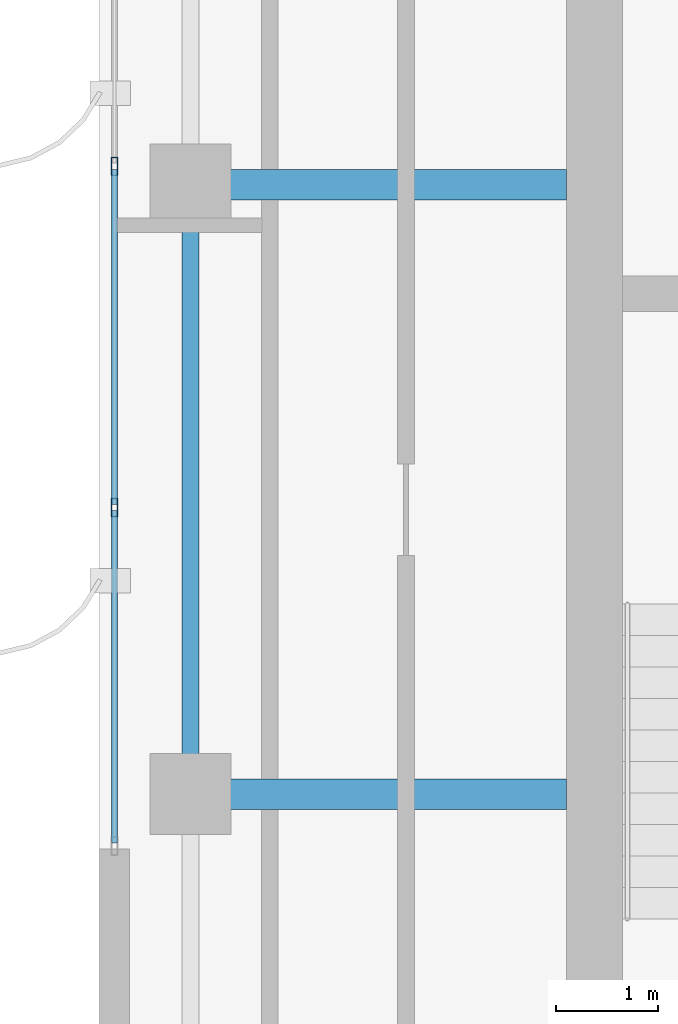
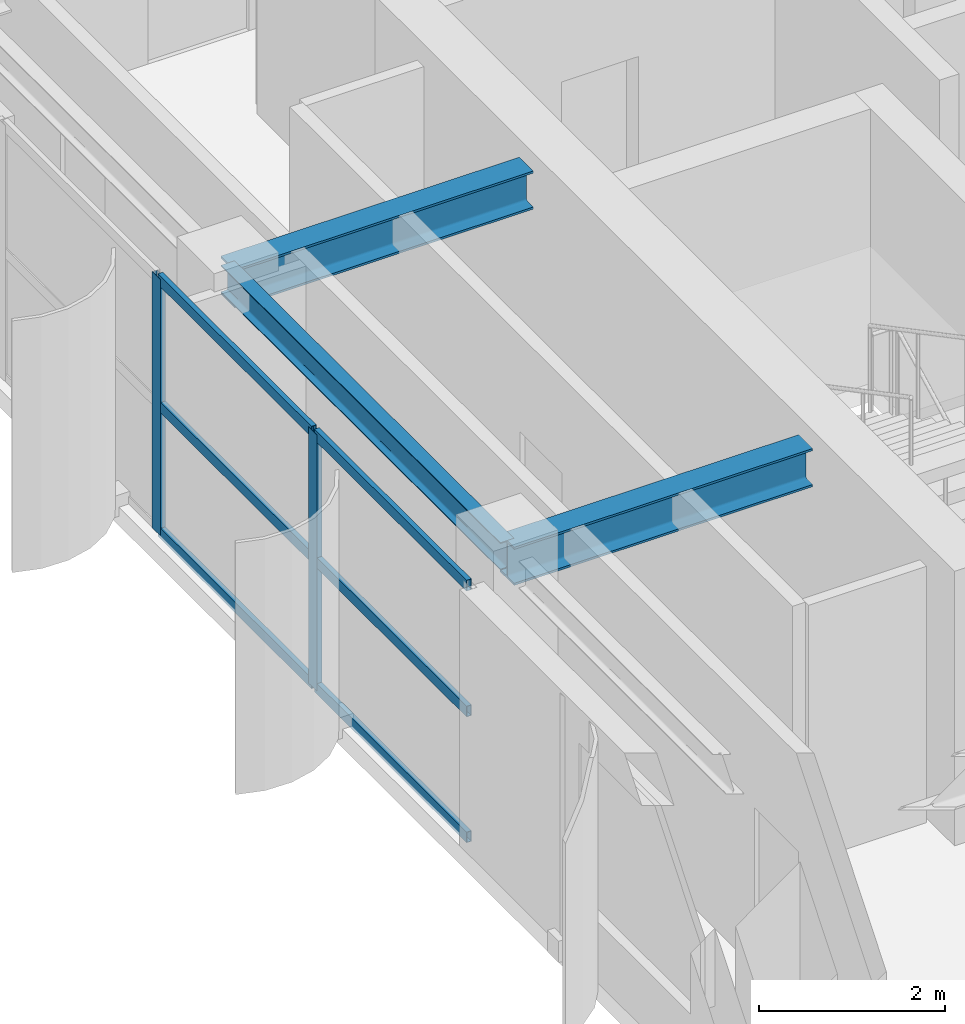
# One storey, part 6 of 22: 8 members, 3 beams, 1 element without a shape of its own.
"""IFC4 building model written with IfcOpenShell, lengths in metres."""

from ifc_helpers import new_model, si_unit, direction, frame, origin, origin_2d, place, context, subcontext, project, spatial, hollow_rectangle, i_section, extrude, source, transform, mapped, material, layer, layer_set, material_profile, profile_set, type_object, element, aggregate, save


model = new_model("IFC4")

# Units and contexts
model_context = context("Model", 3, precision=1e-05, world=origin(), true_north=direction((0.0, 1.0)))
body_context = subcontext(model_context, "Body", "Model", "MODEL_VIEW")
ifc_project = project(units=[si_unit("LENGTHUNIT", "METRE"), si_unit("AREAUNIT", "SQUARE_METRE"), si_unit("VOLUMEUNIT", "CUBIC_METRE"), si_unit("PLANEANGLEUNIT", "RADIAN"), si_unit("MASSUNIT", "GRAM", prefix="KILO")], contexts=[model_context])

# Site, building, storey
site_placement = place(None, origin())
site = spatial("IfcSite", under=ifc_project, at=site_placement, CompositionType="ELEMENT")
building_placement = place(site_placement, origin())
building = spatial("IfcBuilding", under=site, at=building_placement, Name="Khoralis Quay Care Tower", CompositionType="ELEMENT")
storey_placement = place(building_placement, frame((0.0, 0.0, 242.10009765625)))
storey = spatial("IfcBuildingStorey", under=building, at=storey_placement, Name="L63", CompositionType="ELEMENT", Elevation=242.10009765625)

# Beams
ifc_material_1 = material(Name="Steel S355", Category="steel")
ifc_material_profile_1 = material_profile(ifc_material_1, i_section(OverallWidth=0.169921875, OverallDepth=0.360107421875, WebThickness=0.008056640625, FlangeThickness=0.0126953125, FilletRadius=0.01806640625, at=origin_2d()), Name="Steel S355")
ifc_profile_set_1 = profile_set([ifc_material_profile_1], Name="Steel S355")
beam_type_1 = type_object("IfcBeamType", Name="BM-IPE360", PredefinedType="SPANDREL", material=ifc_profile_set_1)
shared_shape_1 = source(origin(), body_context, "Body", "SweptSolid", [
    extrude(i_section(OverallWidth=0.169921875, OverallDepth=0.360107421875, WebThickness=0.008056640625, FlangeThickness=0.0126953125, FilletRadius=0.01806640625, at=origin_2d()), origin(), (0.0, 0.0, 1.0), 6.0),
])
beam_placement = place(storey_placement, frame((3.89990234375, 18.0, 3.179931640625), z_axis=(0.0, 1.0, 0.0), x_axis=(-1.0, 0.0, 0.0)))
element("IfcBeam", 1, at=beam_placement, inside=storey, type_object=beam_type_1, Name="BM-TSP-L63-06", PredefinedType="SPANDREL", context=body_context, shape_type="MappedRepresentation", body=[
    mapped(shared_shape_1, transform((0.0, 0.0, 0.0), scale=1.0)),
])
ifc_material_profile_2 = material_profile(ifc_material_1, i_section(OverallWidth=0.300048828125, OverallDepth=0.5, WebThickness=0.014404296875, FlangeThickness=0.028076171875, FilletRadius=0.027099609375, at=origin_2d()), Name="Steel S355")
ifc_profile_set_2 = profile_set([ifc_material_profile_2], Name="Steel S355")
beam_type_2 = type_object("IfcBeamType", Name="BM-HEB500", PredefinedType="BEAM", material=ifc_profile_set_2)
shared_shape_2 = source(origin(), body_context, "Body", "SweptSolid", [
    extrude(i_section(OverallWidth=0.300048828125, OverallDepth=0.5, WebThickness=0.014404296875, FlangeThickness=0.028076171875, FilletRadius=0.027099609375, at=origin_2d()), origin(), (0.0, 0.0, 1.0), 3.7021484375),
])
for number, where, z_axis, x_axis, name in (
    (2, (3.89990234375, 18.0, 3.10986328125), (1.0, 0.0, 0.0), (0.0, 1.0, 0.0), "BM-TGXW-L63-180"),
    (3, (3.89990234375, 24.0, 3.10986328125), (1.0, 0.0, 0.0), (0.0, 1.0, 0.0), "BM-TGXW-L63-240"),
):
    element("IfcBeam", number, at=place(storey_placement, frame(where, z_axis=z_axis, x_axis=x_axis)), inside=storey, type_object=beam_type_2, Name=name, PredefinedType="BEAM", context=body_context, shape_type="MappedRepresentation", body=[
        mapped(shared_shape_2, transform((0.0, 0.0, 0.0), scale=1.0)),
    ])

# Curtain wall, members
ifc_material_2 = material(Name="Pale anodised aluminium", Category="aluminium")
ifc_layer = layer(ifc_material_2, 0.159912109375)
ifc_layer_set = layer_set([ifc_layer], Name="Pale anodised aluminium")
curtain_wall_type = type_object("IfcCurtainWallType", Name="CW-SYS-Z3", PredefinedType="NOTDEFINED", material=ifc_layer_set)
curtain_wall_placement = place(storey_placement, origin())
curtain_wall = element("IfcCurtainWall", 4, at=curtain_wall_placement, inside=storey, type_object=curtain_wall_type, Name="L63 Unitised Curtain Wall CW-L63-P1-E7", PredefinedType="NOTDEFINED")
ifc_material_profile_3 = material_profile(ifc_material_2, hollow_rectangle(XDim=0.06005859375, YDim=0.139892578125, WallThickness=0.00390625, at=origin_2d()), Name="Pale anodised aluminium")
ifc_profile_set_3 = profile_set([ifc_material_profile_3], Name="Pale anodised aluminium")
member_type_1 = type_object("IfcMemberType", Name="CW-TRN-140", PredefinedType="USERDEFINED", material=ifc_profile_set_3)
shared_shape_3 = source(origin(), body_context, "Body", "SweptSolid", [
    extrude(hollow_rectangle(XDim=0.06005859375, YDim=0.139892578125, WallThickness=0.00390625, at=origin_2d()), origin(), (0.0, 0.0, 1.0), 3.27001953125),
])
member_1_placement = place(storey_placement, frame((3.14990234375, 20.7900390625, 0.02978515625), z_axis=(0.0, -1.0, 0.0), x_axis=(1.0, 0.0, 0.0)))
member_1 = element("IfcMember", 5, at=member_1_placement, type_object=member_type_1, Name="CW3 transom 3.1", ObjectType="TRANSOM", PredefinedType="USERDEFINED", context=body_context, shape_type="MappedRepresentation", body=[
    mapped(shared_shape_3, transform((0.0, 0.0, 0.0), scale=1.0)),
])
member_2_placement = place(storey_placement, frame((3.14990234375, 20.7900390625, 1.679931640625), z_axis=(0.0, -1.0, 0.0), x_axis=(1.0, 0.0, 0.0)))
member_2 = element("IfcMember", 6, at=member_2_placement, type_object=member_type_1, Name="CW3 transom 3.2", ObjectType="TRANSOM", PredefinedType="USERDEFINED", context=body_context, shape_type="MappedRepresentation", body=[
    mapped(shared_shape_3, transform((0.0, 0.0, 0.0), scale=1.0)),
])
member_3_placement = place(storey_placement, frame((3.14990234375, 20.7900390625, 3.329833984375), z_axis=(0.0, -1.0, 0.0), x_axis=(1.0, 0.0, 0.0)))
member_3 = element("IfcMember", 7, at=member_3_placement, type_object=member_type_1, Name="CW3 transom 3.3", ObjectType="TRANSOM", PredefinedType="USERDEFINED", context=body_context, shape_type="MappedRepresentation", body=[
    mapped(shared_shape_3, transform((0.0, 0.0, 0.0), scale=1.0)),
])
shared_shape_4 = source(origin(), body_context, "Body", "SweptSolid", [
    extrude(hollow_rectangle(XDim=0.06005859375, YDim=0.139892578125, WallThickness=0.00390625, at=origin_2d()), origin(), (0.0, 0.0, 1.0), 3.2998046875),
])
member_4_placement = place(storey_placement, frame((3.14990234375, 24.14990234375, 0.02978515625), z_axis=(0.0, -1.0, 0.0), x_axis=(1.0, 0.0, 0.0)))
member_4 = element("IfcMember", 8, at=member_4_placement, type_object=member_type_1, Name="CW3 transom 2.1", ObjectType="TRANSOM", PredefinedType="USERDEFINED", context=body_context, shape_type="MappedRepresentation", body=[
    mapped(shared_shape_4, transform((0.0, 0.0, 0.0), scale=1.0)),
])
member_5_placement = place(storey_placement, frame((3.14990234375, 24.14990234375, 1.679931640625), z_axis=(0.0, -1.0, 0.0), x_axis=(1.0, 0.0, 0.0)))
member_5 = element("IfcMember", 9, at=member_5_placement, type_object=member_type_1, Name="CW3 transom 2.2", ObjectType="TRANSOM", PredefinedType="USERDEFINED", context=body_context, shape_type="MappedRepresentation", body=[
    mapped(shared_shape_4, transform((0.0, 0.0, 0.0), scale=1.0)),
])
member_6_placement = place(storey_placement, frame((3.14990234375, 24.14990234375, 3.329833984375), z_axis=(0.0, -1.0, 0.0), x_axis=(1.0, 0.0, 0.0)))
member_6 = element("IfcMember", 10, at=member_6_placement, type_object=member_type_1, Name="CW3 transom 2.3", ObjectType="TRANSOM", PredefinedType="USERDEFINED", context=body_context, shape_type="MappedRepresentation", body=[
    mapped(shared_shape_4, transform((0.0, 0.0, 0.0), scale=1.0)),
])
ifc_material_profile_4 = material_profile(ifc_material_2, hollow_rectangle(XDim=0.06494140625, YDim=0.179931640625, WallThickness=0.00390625, at=origin_2d()), Name="Pale anodised aluminium")
ifc_profile_set_4 = profile_set([ifc_material_profile_4], Name="Pale anodised aluminium")
member_type_2 = type_object("IfcMemberType", Name="CW-MUL-180", PredefinedType="MULLION", material=ifc_profile_set_4)
shared_shape_5 = source(origin(), body_context, "Body", "SweptSolid", [
    extrude(hollow_rectangle(XDim=0.06494140625, YDim=0.179931640625, WallThickness=0.00390625, at=origin_2d()), origin(), (0.0, 0.0, 1.0), 3.35986328125),
])
member_7_placement = place(storey_placement, frame((3.14990234375, 24.179931640625, 0.0), z_axis=(0.0, 0.0, 1.0), x_axis=(1.0, 0.0, 0.0)))
member_7 = element("IfcMember", 11, at=member_7_placement, type_object=member_type_2, Name="CW3 mullion 2", PredefinedType="MULLION", context=body_context, shape_type="MappedRepresentation", body=[
    mapped(shared_shape_5, transform((0.0, 0.0, 0.0), scale=1.0)),
])
member_8_placement = place(storey_placement, frame((3.14990234375, 20.820068359375, 0.0), z_axis=(0.0, 0.0, 1.0), x_axis=(1.0, 0.0, 0.0)))
member_8 = element("IfcMember", 12, at=member_8_placement, type_object=member_type_2, Name="CW3 mullion 3", PredefinedType="MULLION", context=body_context, shape_type="MappedRepresentation", body=[
    mapped(shared_shape_5, transform((0.0, 0.0, 0.0), scale=1.0)),
])
aggregate(curtain_wall, [member_7, member_8, member_4, member_5, member_6, member_1, member_2, member_3])

save(model, "model.ifc")
